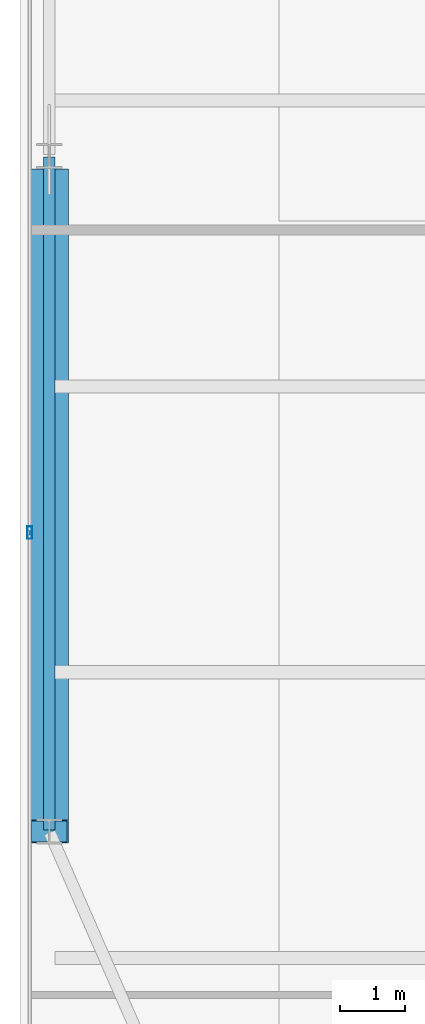
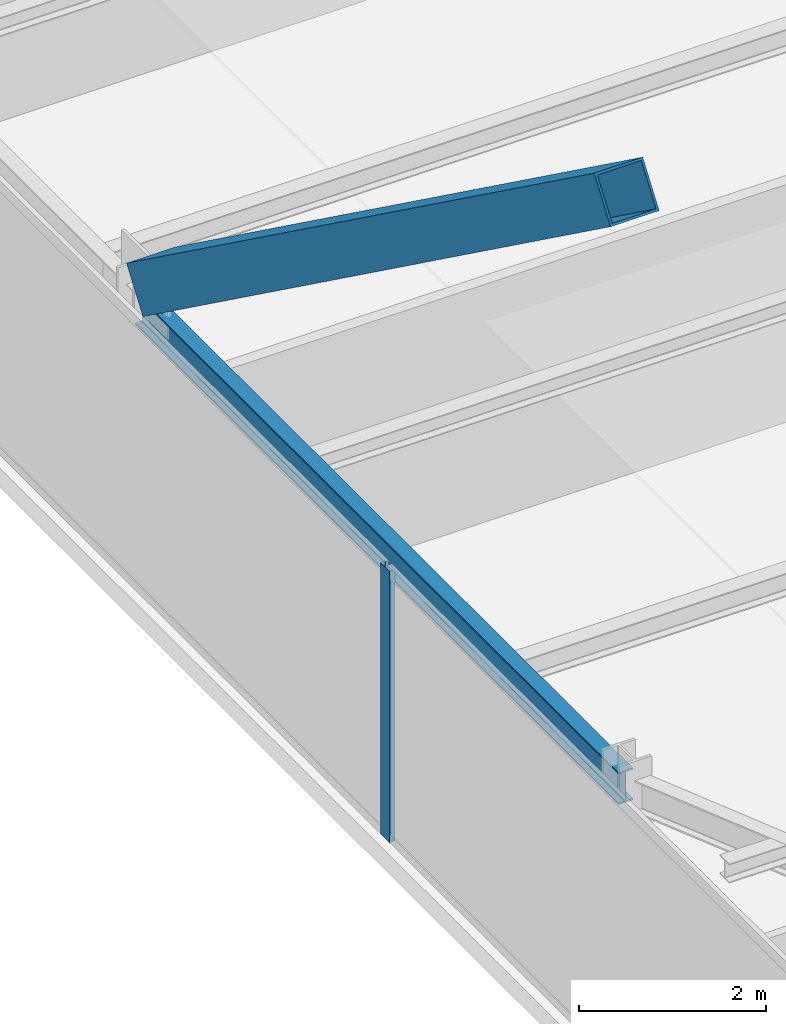
# One storey, part 8 of 37: 2 members, 1 beam, 1 element without a shape of its own.
"""IFC4 building model written with IfcOpenShell, lengths in metres."""

from ifc_helpers import new_model, si_unit, direction, frame, origin, origin_2d, place, context, subcontext, project, spatial, hollow_rectangle, i_section, extrude, source, transform, mapped, material, layer, layer_set, material_profile, profile_set, type_object, type_shapes, element, aggregate, save


model = new_model("IFC4")

# Units and contexts
model_context = context("Model", 3, precision=1e-05, world=origin(), true_north=direction((0.0, 1.0)))
body_context = subcontext(model_context, "Body", "Model", "MODEL_VIEW")
ifc_project = project(units=[si_unit("LENGTHUNIT", "METRE"), si_unit("AREAUNIT", "SQUARE_METRE"), si_unit("VOLUMEUNIT", "CUBIC_METRE"), si_unit("PLANEANGLEUNIT", "RADIAN"), si_unit("MASSUNIT", "GRAM", prefix="KILO")], contexts=[model_context])

# Site, building, storey
site_placement = place(None, origin())
site = spatial("IfcSite", under=ifc_project, at=site_placement, CompositionType="ELEMENT")
building_placement = place(site_placement, origin())
building = spatial("IfcBuilding", under=site, at=building_placement, Name="Varnel Quay Broadcast Tower", CompositionType="ELEMENT")
storey_placement = place(building_placement, frame((0.0, 0.0, 106.800048828125)))
storey = spatial("IfcBuildingStorey", under=building, at=storey_placement, Name="L25", CompositionType="ELEMENT", Elevation=106.800048828125)

# Beam
ifc_material_1 = material(Name="Structural Steel CSA G40.21 350W", Category="steel")
ifc_material_profile_1 = material_profile(ifc_material_1, i_section(OverallWidth=0.180908203125, OverallDepth=0.4169921875, WebThickness=0.010986328125, FlangeThickness=0.018310546875, FilletRadius=0.011962890625, at=origin_2d()), Name="W410X85")
ifc_profile_set_1 = profile_set([ifc_material_profile_1], Name="Structural Steel CSA G40.21 350W")
beam_type = type_object("IfcBeamType", Name="Beam_W410X85", PredefinedType="SPANDREL", material=ifc_profile_set_1)
shared_shape_1 = source(origin(), body_context, "Body", "SweptSolid", [
    extrude(i_section(OverallWidth=0.180908203125, OverallDepth=0.4169921875, WebThickness=0.010986328125, FlangeThickness=0.018310546875, FilletRadius=0.011962890625, at=origin_2d()), origin(), (0.0, 0.0, 1.0), 10.35986328125),
])
type_shapes(beam_type, [shared_shape_1])
beam_placement = place(storey_placement, frame((4.949951171875, 15.02001953125, 3.341552734375), z_axis=(0.0, 1.0, 0.0), x_axis=(-1.0, 0.0, 0.0)))
element("IfcBeam", 1, at=beam_placement, inside=storey, type_object=beam_type, Name="L25 West Spandrel TC-W1-TC-W2", PredefinedType="SPANDREL", context=body_context, shape_type="MappedRepresentation", body=[
    mapped(shared_shape_1, transform((0.0, 0.0, 0.0), x_axis=(1.0, 0.0, 0.0), y_axis=(0.0, 1.0, 0.0), z_axis=(0.0, 0.0, 1.0), scale=1.0)),
])

# Member
ifc_material_2 = material(Name="Structural Steel CSA G40.21 350WT", Category="steel")
ifc_material_profile_2 = material_profile(ifc_material_2, hollow_rectangle(XDim=0.60009765625, YDim=0.60009765625, WallThickness=0.028076171875, at=origin_2d()), Name="BOX600X600X28")
ifc_profile_set_2 = profile_set([ifc_material_profile_2], Name="Structural Steel CSA G40.21 350WT")
member_type_1 = type_object("IfcMemberType", Name="Brace_BOX600X600X28", PredefinedType="BRACE", material=ifc_profile_set_2)
shared_shape_2 = source(origin(), body_context, "Body", "SweptSolid", [
    extrude(hollow_rectangle(XDim=0.60009765625, YDim=0.60009765625, WallThickness=0.028076171875, at=origin_2d()), origin(), (0.0, 0.0, 1.0), 12.3740234375),
])
type_shapes(member_type_1, [shared_shape_2])
member_1_placement = place(storey_placement, frame((4.949951171875, 25.02392578125, 3.874755859375), z_axis=(0.0, -0.810079456088, 0.586320112928), x_axis=(1.0, 0.0, 0.0)))
element("IfcMember", 2, at=member_1_placement, inside=storey, type_object=member_type_1, Name="Zone 2 Mega-Brace W-FT2 Split Diag B2", PredefinedType="BRACE", context=body_context, shape_type="MappedRepresentation", body=[
    mapped(shared_shape_2, transform((0.0, 0.0, 0.0), x_axis=(1.0, 0.0, 0.0), y_axis=(0.0, 1.0, 0.0), z_axis=(0.0, 0.0, 1.0), scale=1.0)),
])

# Curtain wall, member
ifc_material_3 = material(Name="Anodised Bronze Aluminium 6063-T6", Category="aluminium")
ifc_layer = layer(ifc_material_3, 0.18994140625, Name="Anodised Bronze Aluminium 6063-T6")
ifc_layer_set = layer_set([ifc_layer], Name="Anodised Bronze Aluminium 6063-T6")
curtain_wall_type = type_object("IfcCurtainWallType", Name="CW_LowerTower", PredefinedType="NOTDEFINED", material=ifc_layer_set)
curtain_wall_placement = place(storey_placement, origin())
curtain_wall = element("IfcCurtainWall", 3, at=curtain_wall_placement, inside=storey, type_object=curtain_wall_type, Name="L25 West Unitised Curtain Wall", PredefinedType="NOTDEFINED")
ifc_material_profile_3 = material_profile(ifc_material_3, hollow_rectangle(XDim=0.070068359375, YDim=0.18994140625, WallThickness=0.00390625, at=origin_2d()), Name="ALU70X190X4")
ifc_profile_set_3 = profile_set([ifc_material_profile_3], Name="Anodised Bronze Aluminium 6063-T6")
member_type_2 = type_object("IfcMemberType", Name="Mull_CWS-02", PredefinedType="MULLION", material=ifc_profile_set_3)
shared_shape_3 = source(origin(), body_context, "Body", "SweptSolid", [
    extrude(hollow_rectangle(XDim=0.070068359375, YDim=0.18994140625, WallThickness=0.00390625, at=origin_2d()), origin(), (0.0, 0.0, 1.0), 3.550048828125),
])
type_shapes(member_type_2, [shared_shape_3])
member_2_placement = place(storey_placement, frame((4.64990234375, 19.60009765625, 0.0), z_axis=(0.0, 0.0, 1.0), x_axis=(-1.0, 0.0, 0.0)))
member_2 = element("IfcMember", 4, at=member_2_placement, type_object=member_type_2, Name="CWS-02 mullion 2", PredefinedType="MULLION", context=body_context, shape_type="MappedRepresentation", body=[
    mapped(shared_shape_3, transform((0.0, 0.0, 0.0), x_axis=(1.0, 0.0, 0.0), y_axis=(0.0, 1.0, 0.0), z_axis=(0.0, 0.0, 1.0), scale=1.0)),
])
aggregate(curtain_wall, [member_2])

save(model, "model.ifc")
